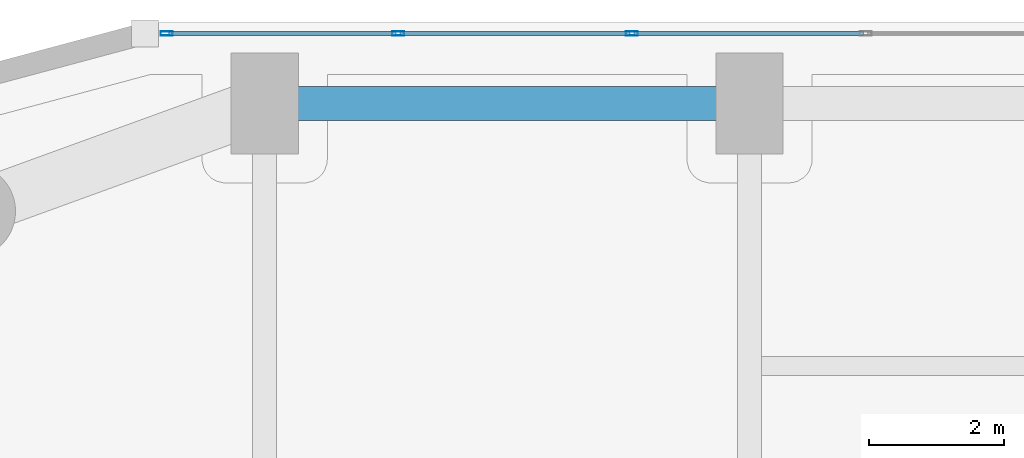
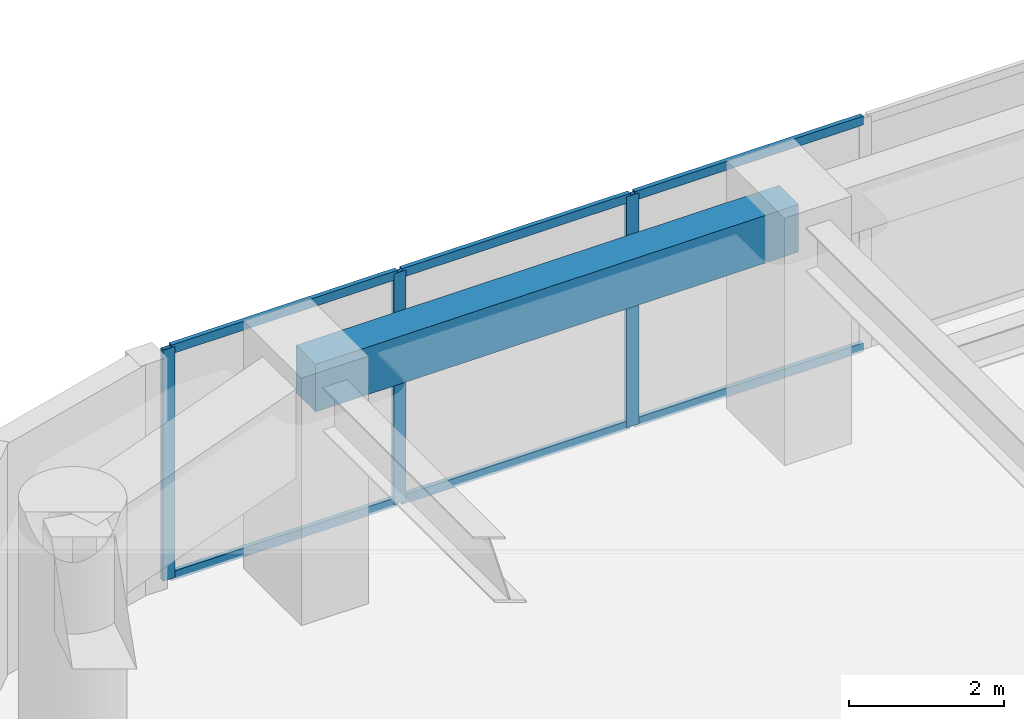
# One storey, part 16 of 28: 9 members, 1 beam, 1 element without a shape of its own.
"""IFC4 building model written with IfcOpenShell, lengths in metres."""

from ifc_helpers import new_model, si_unit, direction, frame, origin, origin_2d, place, context, subcontext, project, spatial, rectangle, hollow_rectangle, extrude, material, layer, layer_set, material_profile, profile_set, type_object, element, aggregate, save


model = new_model("IFC4")

# Units and contexts
model_context = context("Model", 3, precision=1e-05, world=origin(), true_north=direction((0.0, 1.0)))
body_context = subcontext(model_context, "Body", "Model", "MODEL_VIEW")
ifc_project = project(units=[si_unit("LENGTHUNIT", "METRE"), si_unit("AREAUNIT", "SQUARE_METRE"), si_unit("VOLUMEUNIT", "CUBIC_METRE"), si_unit("PLANEANGLEUNIT", "RADIAN"), si_unit("MASSUNIT", "GRAM", prefix="KILO")], contexts=[model_context])

# Site, building, storey
site_placement = place(None, origin())
site = spatial("IfcSite", under=ifc_project, at=site_placement, CompositionType="ELEMENT")
building_placement = place(site_placement, origin())
building = spatial("IfcBuilding", under=site, at=building_placement, Name="Kiyonajd Concourse Tower", CompositionType="ELEMENT")
storey_placement = place(building_placement, frame((0.0, 0.0, 64.5)))
storey = spatial("IfcBuildingStorey", under=building, at=storey_placement, Name="L17", CompositionType="ELEMENT", Elevation=64.5)

# Beam
ifc_material_1 = material(Name="Precast concrete C50/60", Category="concrete")
ifc_material_profile_1 = material_profile(ifc_material_1, rectangle(XDim=0.5, YDim=0.75, at=origin_2d()), Name="RCBM-500x750")
ifc_profile_set_1 = profile_set([ifc_material_profile_1], Name="Precast concrete C50/60")
beam_type = type_object("IfcBeamType", Name="BM-SPAN-RC", PredefinedType="SPANDREL", material=ifc_profile_set_1)
beam_placement = place(storey_placement, frame((32.39990234375, 61.199951171875, 3.264892578125), z_axis=(-1.0, 0.0, 0.0), x_axis=(0.0, -1.0, 0.0)))
element("IfcBeam", 1, at=beam_placement, inside=storey, type_object=beam_type, Name="L17 Perimeter Bundled Tube Spandrel", PredefinedType="SPANDREL", context=body_context, shape_type="SweptSolid", body=[
    extrude(rectangle(XDim=0.5, YDim=0.75, at=origin_2d()), origin(), (0.0, 0.0, 1.0), 7.199951171875),
])

# Curtain wall, members
ifc_material_2 = material(Name="Thermally Broken Anodised Aluminium", Category="aluminium")
ifc_layer = layer(ifc_material_2, 0.179931640625)
ifc_layer_set = layer_set([ifc_layer], Name="Thermally Broken Anodised Aluminium")
curtain_wall_type = type_object("IfcCurtainWallType", Name="CW-SYS-02", PredefinedType="NOTDEFINED", material=ifc_layer_set)
curtain_wall_placement = place(storey_placement, origin())
curtain_wall = element("IfcCurtainWall", 2, at=curtain_wall_placement, inside=storey, type_object=curtain_wall_type, Name="L17 Unitised Curtain Wall CW2", PredefinedType="NOTDEFINED")
ifc_material_profile_2 = material_profile(ifc_material_2, hollow_rectangle(XDim=0.06494140625, YDim=0.179931640625, WallThickness=0.00390625, at=origin_2d()), Name="MULL-65x180")
ifc_profile_set_2 = profile_set([ifc_material_profile_2], Name="Thermally Broken Anodised Aluminium")
member_type_1 = type_object("IfcMemberType", Name="MB-CW-MULL1", PredefinedType="MULLION", material=ifc_profile_set_2)
member_1_placement = place(storey_placement, frame((23.74365234375, 62.239990234375, 0.0), z_axis=(0.0, 0.0, 1.0), x_axis=(0.0, 1.0, 0.0)))
member_1 = element("IfcMember", 3, at=member_1_placement, type_object=member_type_1, Name="CW2 mullion 1", PredefinedType="MULLION", context=body_context, shape_type="SweptSolid", body=[
    extrude(hollow_rectangle(XDim=0.06494140625, YDim=0.179931640625, WallThickness=0.00390625, at=origin_2d()), origin(), (0.0, 0.0, 1.0), 3.639892578125),
])
member_2_placement = place(storey_placement, frame((27.181884765625, 62.239990234375, 0.0), z_axis=(0.0, 0.0, 1.0), x_axis=(0.0, 1.0, 0.0)))
member_2 = element("IfcMember", 4, at=member_2_placement, type_object=member_type_1, Name="CW2 mullion 2", PredefinedType="MULLION", context=body_context, shape_type="SweptSolid", body=[
    extrude(hollow_rectangle(XDim=0.06494140625, YDim=0.179931640625, WallThickness=0.00390625, at=origin_2d()), origin(), (0.0, 0.0, 1.0), 3.639892578125),
])
member_3_placement = place(storey_placement, frame((30.652587890625, 62.239990234375, 0.0), z_axis=(0.0, 0.0, 1.0), x_axis=(0.0, 1.0, 0.0)))
member_3 = element("IfcMember", 5, at=member_3_placement, type_object=member_type_1, Name="CW2 mullion 3", PredefinedType="MULLION", context=body_context, shape_type="SweptSolid", body=[
    extrude(hollow_rectangle(XDim=0.06494140625, YDim=0.179931640625, WallThickness=0.00390625, at=origin_2d()), origin(), (0.0, 0.0, 1.0), 3.639892578125),
])
ifc_material_profile_3 = material_profile(ifc_material_2, hollow_rectangle(XDim=0.06494140625, YDim=0.139892578125, WallThickness=0.00390625, at=origin_2d()), Name="TRAN-65x140")
ifc_profile_set_3 = profile_set([ifc_material_profile_3], Name="Thermally Broken Anodised Aluminium")
member_type_2 = type_object("IfcMemberType", Name="MB-CW-TRAN1", PredefinedType="USERDEFINED", material=ifc_profile_set_3)
member_4_placement = place(storey_placement, frame((23.776123046875, 62.239990234375, 0.032470703125), z_axis=(1.0, 0.0, 0.0), x_axis=(0.0, 1.0, 0.0)))
member_4 = element("IfcMember", 6, at=member_4_placement, type_object=member_type_2, Name="CW2 transom 1.1", ObjectType="TRANSOM", PredefinedType="USERDEFINED", context=body_context, shape_type="SweptSolid", body=[
    extrude(hollow_rectangle(XDim=0.06494140625, YDim=0.139892578125, WallThickness=0.00390625, at=origin_2d()), origin(), (0.0, 0.0, 1.0), 3.373291015625),
])
member_5_placement = place(storey_placement, frame((23.776123046875, 62.239990234375, 3.607421875), z_axis=(1.0, 0.0, 0.0), x_axis=(0.0, 1.0, 0.0)))
member_5 = element("IfcMember", 7, at=member_5_placement, type_object=member_type_2, Name="CW2 transom 1.2", ObjectType="TRANSOM", PredefinedType="USERDEFINED", context=body_context, shape_type="SweptSolid", body=[
    extrude(hollow_rectangle(XDim=0.06494140625, YDim=0.139892578125, WallThickness=0.00390625, at=origin_2d()), origin(), (0.0, 0.0, 1.0), 3.373291015625),
])
member_6_placement = place(storey_placement, frame((27.21435546875, 62.239990234375, 0.032470703125), z_axis=(1.0, 0.0, 0.0), x_axis=(0.0, 1.0, 0.0)))
member_6 = element("IfcMember", 8, at=member_6_placement, type_object=member_type_2, Name="CW2 transom 2.1", ObjectType="TRANSOM", PredefinedType="USERDEFINED", context=body_context, shape_type="SweptSolid", body=[
    extrude(hollow_rectangle(XDim=0.06494140625, YDim=0.139892578125, WallThickness=0.00390625, at=origin_2d()), origin(), (0.0, 0.0, 1.0), 3.40576171875),
])
member_7_placement = place(storey_placement, frame((27.21435546875, 62.239990234375, 3.607421875), z_axis=(1.0, 0.0, 0.0), x_axis=(0.0, 1.0, 0.0)))
member_7 = element("IfcMember", 9, at=member_7_placement, type_object=member_type_2, Name="CW2 transom 2.2", ObjectType="TRANSOM", PredefinedType="USERDEFINED", context=body_context, shape_type="SweptSolid", body=[
    extrude(hollow_rectangle(XDim=0.06494140625, YDim=0.139892578125, WallThickness=0.00390625, at=origin_2d()), origin(), (0.0, 0.0, 1.0), 3.40576171875),
])
member_8_placement = place(storey_placement, frame((30.68505859375, 62.239990234375, 0.032470703125), z_axis=(1.0, 0.0, 0.0), x_axis=(0.0, 1.0, 0.0)))
member_8 = element("IfcMember", 10, at=member_8_placement, type_object=member_type_2, Name="CW2 transom 3.1", ObjectType="TRANSOM", PredefinedType="USERDEFINED", context=body_context, shape_type="SweptSolid", body=[
    extrude(hollow_rectangle(XDim=0.06494140625, YDim=0.139892578125, WallThickness=0.00390625, at=origin_2d()), origin(), (0.0, 0.0, 1.0), 3.40576171875),
])
member_9_placement = place(storey_placement, frame((30.68505859375, 62.239990234375, 3.607421875), z_axis=(1.0, 0.0, 0.0), x_axis=(0.0, 1.0, 0.0)))
member_9 = element("IfcMember", 11, at=member_9_placement, type_object=member_type_2, Name="CW2 transom 3.2", ObjectType="TRANSOM", PredefinedType="USERDEFINED", context=body_context, shape_type="SweptSolid", body=[
    extrude(hollow_rectangle(XDim=0.06494140625, YDim=0.139892578125, WallThickness=0.00390625, at=origin_2d()), origin(), (0.0, 0.0, 1.0), 3.40576171875),
])
aggregate(curtain_wall, [member_1, member_2, member_3, member_4, member_5, member_6, member_7, member_8, member_9])

save(model, "model.ifc")
